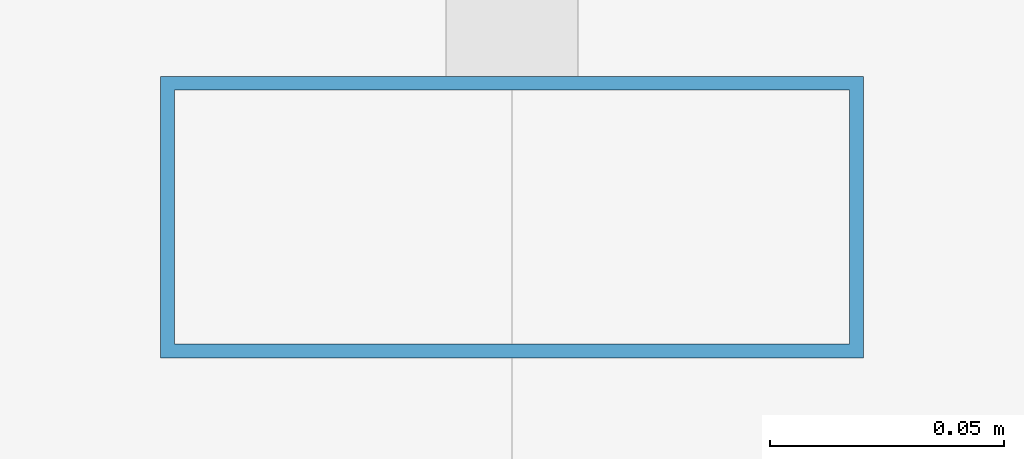
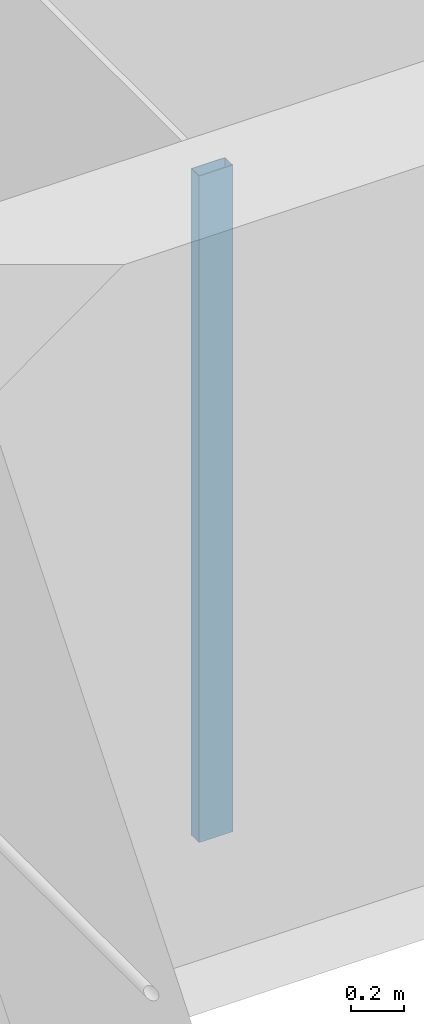
# One storey, part 11 of 40: 1 member, 1 element without a shape of its own.
"""IFC4 building model written with IfcOpenShell, lengths in metres."""

from ifc_helpers import new_model, si_unit, direction, frame, origin, origin_2d, place, context, subcontext, project, spatial, hollow_rectangle, extrude, material, material_profile, profile_set, type_object, element, aggregate, save


model = new_model("IFC4")

# Units and contexts
model_context = context("Model", 3, precision=1e-05, world=origin(), true_north=direction((0.0, 1.0)))
body_context = subcontext(model_context, "Body", "Model", "MODEL_VIEW")
ifc_project = project(units=[si_unit("LENGTHUNIT", "METRE"), si_unit("AREAUNIT", "SQUARE_METRE"), si_unit("VOLUMEUNIT", "CUBIC_METRE"), si_unit("PLANEANGLEUNIT", "RADIAN"), si_unit("MASSUNIT", "GRAM", prefix="KILO")], contexts=[model_context])

# Site, building, storey
site_placement = place(None, origin())
site = spatial("IfcSite", under=ifc_project, at=site_placement, CompositionType="ELEMENT")
building_placement = place(site_placement, origin())
building = spatial("IfcBuilding", under=site, at=building_placement, Name="Altepetl Exchange Towers", CompositionType="ELEMENT")
storey_placement = place(building_placement, frame((0.0, 0.0, 161.800048828125)))
storey = spatial("IfcBuildingStorey", under=building, at=storey_placement, Name="L40", CompositionType="ELEMENT", Elevation=161.800048828125)

# Curtain wall, member
ifc_material_1 = material(Name="Aluminium 6063-T6 glazing", Category="aluminium")
curtain_wall_type = type_object("IfcCurtainWallType", Name="Loggia glazing system", PredefinedType="NOTDEFINED", material=ifc_material_1)
curtain_wall_placement = place(storey_placement, origin())
curtain_wall = element("IfcCurtainWall", 1, at=curtain_wall_placement, inside=storey, type_object=curtain_wall_type, Name="CW1 run", PredefinedType="NOTDEFINED")
ifc_material_2 = material(Name="Aluminium 6063-T6", Category="aluminium")
ifc_material_profile = material_profile(ifc_material_2, hollow_rectangle(XDim=0.06005859375, YDim=0.14990234375, WallThickness=0.0029296875, at=origin_2d()), Name="Mullion 60x150 aluminium")
ifc_profile_set = profile_set([ifc_material_profile], Name="Aluminium 6063-T6")
member_type = type_object("IfcMemberType", Name="Mullion 60x150 aluminium", PredefinedType="MULLION", material=ifc_profile_set)
member_placement = place(storey_placement, frame((42.5, 58.60498046875, 0.0), z_axis=(0.0, 0.0, 1.0), x_axis=(0.0, -1.0, 0.0)))
member = element("IfcMember", 2, at=member_placement, type_object=member_type, Name="MU1 mullion", PredefinedType="MULLION", context=body_context, shape_type="SweptSolid", body=[
    extrude(hollow_rectangle(XDim=0.06005859375, YDim=0.14990234375, WallThickness=0.0029296875, at=origin_2d()), origin(), (0.0, 0.0, 1.0), 3.099853515625),
])
aggregate(curtain_wall, [member])

save(model, "model.ifc")
